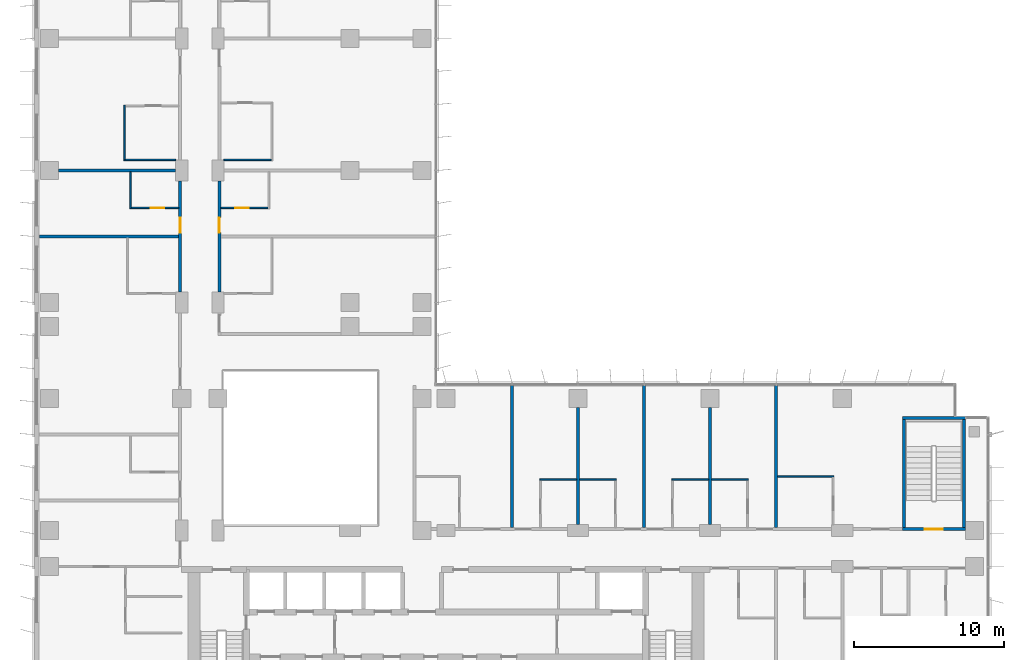
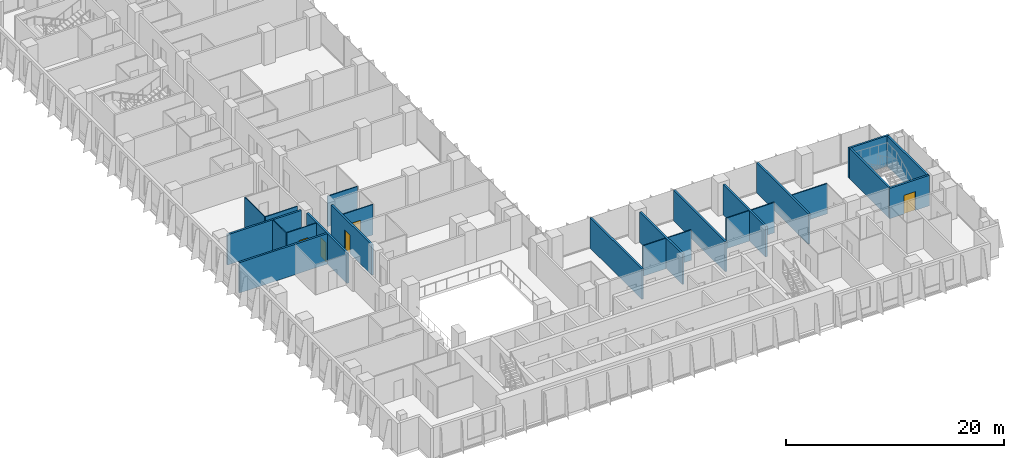
# One storey, part 15 of 23: 24 walls, 5 doors, 5 openings.
"""IFC4 building model written with IfcOpenShell, lengths in metres."""

from ifc_helpers import new_model, si_unit, direction, frame, frame_2d, origin, place, context, subcontext, project, spatial, rectangle, extrude, material, layer, layer_set, type_object, element, fill, save


model = new_model("IFC4")

# Units and contexts
model_context = context("Model", 3, precision=1e-05, world=origin(), true_north=direction((0.0, 1.0)))
body_context = subcontext(model_context, "Body", "Model", "MODEL_VIEW")
ifc_project = project(units=[si_unit("LENGTHUNIT", "METRE"), si_unit("AREAUNIT", "SQUARE_METRE"), si_unit("VOLUMEUNIT", "CUBIC_METRE"), si_unit("PLANEANGLEUNIT", "RADIAN"), si_unit("MASSUNIT", "GRAM", prefix="KILO")], contexts=[model_context])

# Site, building, storey
site_placement = place(None, origin())
site = spatial("IfcSite", under=ifc_project, at=site_placement, CompositionType="ELEMENT")
building_placement = place(site_placement, origin())
building = spatial("IfcBuilding", under=site, at=building_placement, Name="Kemantara Hotel Tower", CompositionType="ELEMENT")
storey_placement = place(building_placement, frame((0.0, 0.0, 114.800048828125)))
storey = spatial("IfcBuildingStorey", under=building, at=storey_placement, Name="L27", CompositionType="ELEMENT", Elevation=114.800048828125)

# Wall, opening, door
ifc_material_1 = material(Name="Gypsum board partition, steel studs and mineral wool, 200 mm", Category="steel")
ifc_layer_1 = layer(ifc_material_1, 0.199951171875)
ifc_layer_set_1 = layer_set([ifc_layer_1], Name="Gypsum board partition, steel studs and mineral wool, 200 mm")
wall_type_1 = type_object("IfcWallType", Name="CORRIDOR WALL 200", PredefinedType="PARTITIONING", material=ifc_layer_set_1)
wall_1_placement = place(storey_placement, frame((9.699951171875, 28.10009765625, 0.0), z_axis=(0.0, 0.0, 1.0), x_axis=(0.0, 1.0, 0.0)))
wall_1 = element("IfcWall", 1, at=wall_1_placement, inside=storey, type_object=wall_type_1, Name="CORRIDOR WALL 200 021", PredefinedType="PARTITIONING", context=body_context, shape_type="SweptSolid", body=[
    extrude(rectangle(XDim=7.39990234375, YDim=0.199951171875, at=frame_2d((3.699951171875, 0.0))), origin(), (0.0, 0.0, 1.0), 3.39990234375),
])
opening_1_placement = place(wall_1_placement, frame((3.949951171875, 0.0, 0.0)))
opening_1 = element("IfcOpeningElement", 2, at=opening_1_placement, cuts=wall_1, Name="Opening F12-029", PredefinedType="OPENING", context=body_context, shape_type="SweptSolid", body=[
    extrude(rectangle(XDim=1.0, YDim=2.10009765625, at=frame_2d((0.5, 1.050048828125))), frame((0.0, 0.10986328125, 0.0), z_axis=(0.0, -1.0, 0.0), x_axis=(1.0, 0.0, 0.0)), (0.0, 0.0, 1.0), 0.219970703125),
])
ifc_material_2 = material(Name="Hardwood veneer door leaf with steel frame", Category="steel")
door_type_1 = type_object("IfcDoorType", Name="GUEST ROOM DOOR 1000 X 2100 FD30S", OperationType="NOTDEFINED", PredefinedType="DOOR", material=ifc_material_2)
door_1_placement = place(opening_1_placement, origin())
door_1 = element("IfcDoor", 3, at=door_1_placement, inside=storey, type_object=door_type_1, Name="GUEST ROOM DOOR F12-029", OperationType="SINGLE_SWING_LEFT", OverallHeight=2.10009765625, OverallWidth=1.0, PredefinedType="DOOR", context=body_context, shape_type="SweptSolid", body=[
    extrude(rectangle(XDim=1.0, YDim=2.10009765625, at=frame_2d((0.5, 1.050048828125))), frame((0.0, 0.02490234375, 0.0), z_axis=(0.0, -1.0, 0.0), x_axis=(1.0, 0.0, 0.0)), (0.0, 0.0, 1.0), 0.050048828125),
])
fill(opening_1, door_1)

wall_2_placement = place(storey_placement, frame((12.300048828125, 35.5, 0.0), z_axis=(0.0, 0.0, 1.0), x_axis=(0.0, -1.0, 0.0)))
wall_2 = element("IfcWall", 4, at=wall_2_placement, inside=storey, type_object=wall_type_1, Name="CORRIDOR WALL 200 045", PredefinedType="PARTITIONING", context=body_context, shape_type="SweptSolid", body=[
    extrude(rectangle(XDim=7.39990234375, YDim=0.199951171875, at=frame_2d((3.699951171875, 0.0))), origin(), (0.0, 0.0, 1.0), 3.39990234375),
])
opening_2_placement = place(wall_2_placement, frame((2.449951171875, 0.0, 0.0)))
opening_2 = element("IfcOpeningElement", 5, at=opening_2_placement, cuts=wall_2, Name="Opening F12-047", PredefinedType="OPENING", context=body_context, shape_type="SweptSolid", body=[
    extrude(rectangle(XDim=1.0, YDim=2.10009765625, at=frame_2d((0.5, 1.050048828125))), frame((0.0, 0.10986328125, 0.0), z_axis=(0.0, -1.0, 0.0), x_axis=(1.0, 0.0, 0.0)), (0.0, 0.0, 1.0), 0.219970703125),
])
door_2_placement = place(opening_2_placement, origin())
door_2 = element("IfcDoor", 6, at=door_2_placement, inside=storey, type_object=door_type_1, Name="GUEST ROOM DOOR F12-047", OperationType="SINGLE_SWING_RIGHT", OverallHeight=2.10009765625, OverallWidth=1.0, PredefinedType="DOOR", context=body_context, shape_type="SweptSolid", body=[
    extrude(rectangle(XDim=1.0, YDim=2.10009765625, at=frame_2d((0.5, 1.050048828125))), frame((0.0, 0.02490234375, 0.0), z_axis=(0.0, -1.0, 0.0), x_axis=(1.0, 0.0, 0.0)), (0.0, 0.0, 1.0), 0.050048828125),
])
fill(opening_2, door_2)

ifc_material_3 = material(Name="Concrete fc 40 MPa", Category="concrete")
ifc_layer_2 = layer(ifc_material_3, 0.199951171875)
ifc_layer_set_2 = layer_set([ifc_layer_2], Name="Concrete fc 40 MPa")
wall_type_2 = type_object("IfcWallType", Name="Concrete stair wall 200 mm", PredefinedType="SHEAR", material=ifc_layer_set_2)
wall_3_placement = place(storey_placement, frame((57.800048828125, 12.300048828125, 0.0), z_axis=(0.0, 0.0, 1.0), x_axis=(1.0, 0.0, 0.0)))
wall_3 = element("IfcWall", 7, at=wall_3_placement, inside=storey, type_object=wall_type_2, Name="Stair ST3 enclosure wall with door", PredefinedType="SHEAR", context=body_context, shape_type="SweptSolid", body=[
    extrude(rectangle(XDim=4.199951171875, YDim=0.199951171875, at=frame_2d((2.10009765625, 0.0))), origin(), (0.0, 0.0, 1.0), 3.39990234375),
])
opening_3_placement = place(wall_3_placement, frame((1.5, 0.0, 0.0)))
opening_3 = element("IfcOpeningElement", 8, at=opening_3_placement, cuts=wall_3, Name="Opening ST3-C", PredefinedType="OPENING", context=body_context, shape_type="SweptSolid", body=[
    extrude(rectangle(XDim=1.199951171875, YDim=2.10009765625, at=frame_2d((0.60009765625, 1.050048828125))), frame((0.0, 0.10986328125, 0.0), z_axis=(0.0, -1.0, 0.0), x_axis=(1.0, 0.0, 0.0)), (0.0, 0.0, 1.0), 0.219970703125),
])
ifc_material_4 = material(Name="Steel fire door", Category="steel")
door_type_2 = type_object("IfcDoorType", Name="Fire door FD90 1200 x 2100", OperationType="NOTDEFINED", PredefinedType="DOOR", material=ifc_material_4)
door_3_placement = place(opening_3_placement, origin())
door_3 = element("IfcDoor", 9, at=door_3_placement, inside=storey, type_object=door_type_2, Name="Stair ST3 door", OperationType="SINGLE_SWING_RIGHT", OverallHeight=2.10009765625, OverallWidth=1.199951171875, PredefinedType="DOOR", context=body_context, shape_type="SweptSolid", body=[
    extrude(rectangle(XDim=1.199951171875, YDim=2.10009765625, at=frame_2d((0.60009765625, 1.050048828125))), frame((0.0, 0.02490234375, 0.0), z_axis=(0.0, -1.0, 0.0), x_axis=(1.0, 0.0, 0.0)), (0.0, 0.0, 1.0), 0.050048828125),
])
fill(opening_3, door_3)

# Walls
wall_4_placement = place(storey_placement, frame((57.800048828125, 19.699951171875, 0.0), z_axis=(0.0, 0.0, 1.0), x_axis=(1.0, 0.0, 0.0)))
element("IfcWall", 10, at=wall_4_placement, inside=storey, type_object=wall_type_2, Name="Stair ST3 enclosure wall N", PredefinedType="SHEAR", context=body_context, shape_type="SweptSolid", body=[
    extrude(rectangle(XDim=4.199951171875, YDim=0.199951171875, at=frame_2d((2.10009765625, 0.0))), origin(), (0.0, 0.0, 1.0), 3.39990234375),
])
for number, where, z_axis, x_axis, name in (
    (11, (57.89990234375, 12.39990234375, 0.0), (0.0, 0.0, 1.0), (0.0, 1.0, 0.0), "Stair ST3 enclosure wall W"),
    (12, (61.89990234375, 12.39990234375, 0.0), (0.0, 0.0, 1.0), (0.0, 1.0, 0.0), "Stair ST3 enclosure wall E"),
):
    element("IfcWall", number, at=place(storey_placement, frame(where, z_axis=z_axis, x_axis=x_axis)), inside=storey, type_object=wall_type_2, Name=name, PredefinedType="SHEAR", context=body_context, shape_type="SweptSolid", body=[
        extrude(rectangle(XDim=7.2001953125, YDim=0.199951171875, at=frame_2d((3.60009765625, 0.0))), origin(), (0.0, 0.0, 1.0), 3.39990234375),
    ])
ifc_layer_3 = layer(ifc_material_1, 0.199951171875)
ifc_layer_set_3 = layer_set([ifc_layer_3], Name="Gypsum board partition, steel studs and mineral wool, 200 mm")
wall_type_3 = type_object("IfcWallType", Name="GUEST ROOM PARTY WALL 200", PredefinedType="PARTITIONING", material=ifc_layer_set_3)
for number, where, z_axis, x_axis, name in (
    (13, (49.39990234375, 12.39990234375, 0.0), (0.0, 0.0, 1.0), (0.0, 1.0, 0.0), "GUEST ROOM PARTY WALL 200 004"),
    (14, (31.800048828125, 12.39990234375, 0.0), (0.0, 0.0, 1.0), (0.0, 1.0, 0.0), "GUEST ROOM PARTY WALL 200 014"),
):
    element("IfcWall", number, at=place(storey_placement, frame(where, z_axis=z_axis, x_axis=x_axis)), inside=storey, type_object=wall_type_3, Name=name, PredefinedType="PARTITIONING", context=body_context, shape_type="SweptSolid", body=[
        extrude(rectangle(XDim=9.47021484375, YDim=0.199951171875, at=frame_2d((4.735107421875, 0.0))), origin(), (0.0, 0.0, 1.0), 3.39990234375),
    ])
wall_5_placement = place(storey_placement, frame((36.199951171875, 12.60009765625, 0.0), z_axis=(0.0, 0.0, 1.0), x_axis=(0.0, 1.0, 0.0)))
element("IfcWall", 15, at=wall_5_placement, inside=storey, type_object=wall_type_3, Name="GUEST ROOM PARTY WALL 200 015", PredefinedType="PARTITIONING", context=body_context, shape_type="SweptSolid", body=[
    extrude(rectangle(XDim=7.7998046875, YDim=0.199951171875, at=frame_2d((3.89990234375, 0.0))), origin(), (0.0, 0.0, 1.0), 3.39990234375),
])
wall_6_placement = place(storey_placement, frame((40.60009765625, 12.39990234375, 0.0), z_axis=(0.0, 0.0, 1.0), x_axis=(0.0, 1.0, 0.0)))
element("IfcWall", 16, at=wall_6_placement, inside=storey, type_object=wall_type_3, Name="GUEST ROOM PARTY WALL 200 016", PredefinedType="PARTITIONING", context=body_context, shape_type="SweptSolid", body=[
    extrude(rectangle(XDim=9.47021484375, YDim=0.199951171875, at=frame_2d((4.735107421875, 0.0))), origin(), (0.0, 0.0, 1.0), 3.39990234375),
])
wall_7_placement = place(storey_placement, frame((45.0, 12.60009765625, 0.0), z_axis=(0.0, 0.0, 1.0), x_axis=(0.0, 1.0, 0.0)))
element("IfcWall", 17, at=wall_7_placement, inside=storey, type_object=wall_type_3, Name="GUEST ROOM PARTY WALL 200 017", PredefinedType="PARTITIONING", context=body_context, shape_type="SweptSolid", body=[
    extrude(rectangle(XDim=7.7998046875, YDim=0.199951171875, at=frame_2d((3.89990234375, 0.0))), origin(), (0.0, 0.0, 1.0), 3.39990234375),
])
wall_8_placement = place(storey_placement, frame((0.31005859375, 31.800048828125, 0.0), z_axis=(0.0, 0.0, 1.0), x_axis=(1.0, 0.0, 0.0)))
element("IfcWall", 18, at=wall_8_placement, inside=storey, type_object=wall_type_3, Name="GUEST ROOM PARTY WALL 200 029", PredefinedType="PARTITIONING", context=body_context, shape_type="SweptSolid", body=[
    extrude(rectangle(XDim=9.2900390625, YDim=0.199951171875, at=frame_2d((4.64501953125, 0.0))), origin(), (0.0, 0.0, 1.0), 3.39990234375),
])
wall_9_placement = place(storey_placement, frame((1.60009765625, 36.199951171875, 0.0), z_axis=(0.0, 0.0, 1.0), x_axis=(1.0, 0.0, 0.0)))
element("IfcWall", 19, at=wall_9_placement, inside=storey, type_object=wall_type_3, Name="GUEST ROOM PARTY WALL 200 031", PredefinedType="PARTITIONING", context=body_context, shape_type="SweptSolid", body=[
    extrude(rectangle(XDim=7.7998046875, YDim=0.199951171875, at=frame_2d((3.89990234375, 0.0))), origin(), (0.0, 0.0, 1.0), 3.39990234375),
])
ifc_material_5 = material(Name="Gypsum board partition on steel studs, 100 mm", Category="steel")
ifc_layer_4 = layer(ifc_material_5, 0.10009765625)
ifc_layer_set_4 = layer_set([ifc_layer_4], Name="Gypsum board partition on steel studs, 100 mm")
wall_type_4 = type_object("IfcWallType", Name="ROOM PARTITION 100", PredefinedType="PARTITIONING", material=ifc_layer_set_4)
wall_10_placement = place(storey_placement, frame((49.5, 15.800048828125, 0.0), z_axis=(0.0, 0.0, 1.0), x_axis=(1.0, 0.0, 0.0)))
element("IfcWall", 20, at=wall_10_placement, inside=storey, type_object=wall_type_4, Name="ROOM PARTITION 100 066", PredefinedType="PARTITIONING", context=body_context, shape_type="SweptSolid", body=[
    extrude(rectangle(XDim=3.75, YDim=0.10009765625, at=frame_2d((1.875, 0.0))), origin(), (0.0, 0.0, 1.0), 3.39990234375),
])
wall_11_placement = place(storey_placement, frame((33.64990234375, 15.60009765625, 0.0), z_axis=(0.0, 0.0, 1.0), x_axis=(1.0, 0.0, 0.0)))
element("IfcWall", 21, at=wall_11_placement, inside=storey, type_object=wall_type_4, Name="ROOM PARTITION 100 068", PredefinedType="PARTITIONING", context=body_context, shape_type="SweptSolid", body=[
    extrude(rectangle(XDim=2.4501953125, YDim=0.10009765625, at=frame_2d((1.22509765625, 0.0))), origin(), (0.0, 0.0, 1.0), 3.39990234375),
])
for number, where, z_axis, x_axis, name in (
    (22, (36.300048828125, 15.60009765625, 0.0), (0.0, 0.0, 1.0), (1.0, 0.0, 0.0), "ROOM PARTITION 100 069"),
    (23, (42.449951171875, 15.60009765625, 0.0), (0.0, 0.0, 1.0), (1.0, 0.0, 0.0), "ROOM PARTITION 100 070"),
    (24, (45.10009765625, 15.60009765625, 0.0), (0.0, 0.0, 1.0), (1.0, 0.0, 0.0), "ROOM PARTITION 100 071"),
):
    element("IfcWall", number, at=place(storey_placement, frame(where, z_axis=z_axis, x_axis=x_axis)), inside=storey, type_object=wall_type_4, Name=name, PredefinedType="PARTITIONING", context=body_context, shape_type="SweptSolid", body=[
        extrude(rectangle(XDim=2.449951171875, YDim=0.10009765625, at=frame_2d((1.22509765625, 0.0))), origin(), (0.0, 0.0, 1.0), 3.39990234375),
    ])
wall_12_placement = place(storey_placement, frame((6.39990234375, 33.64990234375, 0.0), z_axis=(0.0, 0.0, 1.0), x_axis=(0.0, 1.0, 0.0)))
element("IfcWall", 25, at=wall_12_placement, inside=storey, type_object=wall_type_4, Name="ROOM PARTITION 100 083", PredefinedType="PARTITIONING", context=body_context, shape_type="SweptSolid", body=[
    extrude(rectangle(XDim=2.4501953125, YDim=0.10009765625, at=frame_2d((1.22509765625, 0.0))), origin(), (0.0, 0.0, 1.0), 3.39990234375),
])

# Wall, opening, door
wall_13_placement = place(storey_placement, frame((6.449951171875, 33.699951171875, 0.0), z_axis=(0.0, 0.0, 1.0), x_axis=(1.0, 0.0, 0.0)))
wall_13 = element("IfcWall", 26, at=wall_13_placement, inside=storey, type_object=wall_type_4, Name="ROOM PARTITION 100 093", PredefinedType="PARTITIONING", context=body_context, shape_type="SweptSolid", body=[
    extrude(rectangle(XDim=3.150146484375, YDim=0.10009765625, at=frame_2d((1.5751953125, 0.0))), origin(), (0.0, 0.0, 1.0), 3.39990234375),
])
opening_4_placement = place(wall_13_placement, frame((1.300048828125, 0.0, 0.0)))
opening_4 = element("IfcOpeningElement", 27, at=opening_4_placement, cuts=wall_13, Name="Opening F12-030", PredefinedType="OPENING", context=body_context, shape_type="SweptSolid", body=[
    extrude(rectangle(XDim=0.89990234375, YDim=2.10009765625, at=frame_2d((0.449951171875, 1.050048828125))), frame((0.0, 0.06005859375, 0.0), z_axis=(0.0, -1.0, 0.0), x_axis=(1.0, 0.0, 0.0)), (0.0, 0.0, 1.0), 0.1201171875),
])
door_type_3 = type_object("IfcDoorType", Name="BATHROOM DOOR 900 X 2100", OperationType="NOTDEFINED", PredefinedType="DOOR", material=ifc_material_2)
door_4_placement = place(opening_4_placement, origin())
door_4 = element("IfcDoor", 28, at=door_4_placement, inside=storey, type_object=door_type_3, Name="BATHROOM DOOR F12-030", OperationType="SINGLE_SWING_RIGHT", OverallHeight=2.10009765625, OverallWidth=0.89990234375, PredefinedType="DOOR", context=body_context, shape_type="SweptSolid", body=[
    extrude(rectangle(XDim=0.89990234375, YDim=2.10009765625, at=frame_2d((0.449951171875, 1.050048828125))), frame((0.0, 0.02490234375, 0.0), z_axis=(0.0, -1.0, 0.0), x_axis=(1.0, 0.0, 0.0)), (0.0, 0.0, 1.0), 0.050048828125),
])
fill(opening_4, door_4)

wall_14_placement = place(storey_placement, frame((12.39990234375, 33.699951171875, 0.0), z_axis=(0.0, 0.0, 1.0), x_axis=(1.0, 0.0, 0.0)))
wall_14 = element("IfcWall", 29, at=wall_14_placement, inside=storey, type_object=wall_type_4, Name="ROOM PARTITION 100 094", PredefinedType="PARTITIONING", context=body_context, shape_type="SweptSolid", body=[
    extrude(rectangle(XDim=3.150146484375, YDim=0.10009765625, at=frame_2d((1.5751953125, 0.0))), origin(), (0.0, 0.0, 1.0), 3.39990234375),
])
opening_5_placement = place(wall_14_placement, frame((0.949951171875, 0.0, 0.0)))
opening_5 = element("IfcOpeningElement", 30, at=opening_5_placement, cuts=wall_14, Name="Opening F12-048", PredefinedType="OPENING", context=body_context, shape_type="SweptSolid", body=[
    extrude(rectangle(XDim=0.89990234375, YDim=2.10009765625, at=frame_2d((0.449951171875, 1.050048828125))), frame((0.0, 0.06005859375, 0.0), z_axis=(0.0, -1.0, 0.0), x_axis=(1.0, 0.0, 0.0)), (0.0, 0.0, 1.0), 0.1201171875),
])
door_5_placement = place(opening_5_placement, origin())
door_5 = element("IfcDoor", 31, at=door_5_placement, inside=storey, type_object=door_type_3, Name="BATHROOM DOOR F12-048", OperationType="SINGLE_SWING_LEFT", OverallHeight=2.10009765625, OverallWidth=0.89990234375, PredefinedType="DOOR", context=body_context, shape_type="SweptSolid", body=[
    extrude(rectangle(XDim=0.89990234375, YDim=2.10009765625, at=frame_2d((0.449951171875, 1.050048828125))), frame((0.0, 0.02490234375, 0.0), z_axis=(0.0, -1.0, 0.0), x_axis=(1.0, 0.0, 0.0)), (0.0, 0.0, 1.0), 0.050048828125),
])
fill(opening_5, door_5)

# Walls
wall_15_placement = place(storey_placement, frame((6.0, 36.85009765625, 0.0), z_axis=(0.0, 0.0, 1.0), x_axis=(0.0, 1.0, 0.0)))
element("IfcWall", 32, at=wall_15_placement, inside=storey, type_object=wall_type_4, Name="ROOM PARTITION 100 095", PredefinedType="PARTITIONING", context=body_context, shape_type="SweptSolid", body=[
    extrude(rectangle(XDim=3.699951171875, YDim=0.10009765625, at=frame_2d((1.85009765625, 0.0))), origin(), (0.0, 0.0, 1.0), 3.39990234375),
])
wall_16_placement = place(storey_placement, frame((6.050048828125, 36.89990234375, 0.0), z_axis=(0.0, 0.0, 1.0), x_axis=(1.0, 0.0, 0.0)))
element("IfcWall", 33, at=wall_16_placement, inside=storey, type_object=wall_type_4, Name="ROOM PARTITION 100 096", PredefinedType="PARTITIONING", context=body_context, shape_type="SweptSolid", body=[
    extrude(rectangle(XDim=3.349853515625, YDim=0.10009765625, at=frame_2d((1.6748046875, 0.0))), origin(), (0.0, 0.0, 1.0), 3.39990234375),
])
wall_17_placement = place(storey_placement, frame((12.60009765625, 36.89990234375, 0.0), z_axis=(0.0, 0.0, 1.0), x_axis=(1.0, 0.0, 0.0)))
element("IfcWall", 34, at=wall_17_placement, inside=storey, type_object=wall_type_4, Name="ROOM PARTITION 100 097", PredefinedType="PARTITIONING", context=body_context, shape_type="SweptSolid", body=[
    extrude(rectangle(XDim=3.14990234375, YDim=0.10009765625, at=frame_2d((1.574951171875, 0.0))), origin(), (0.0, 0.0, 1.0), 3.39990234375),
])

save(model, "model.ifc")
